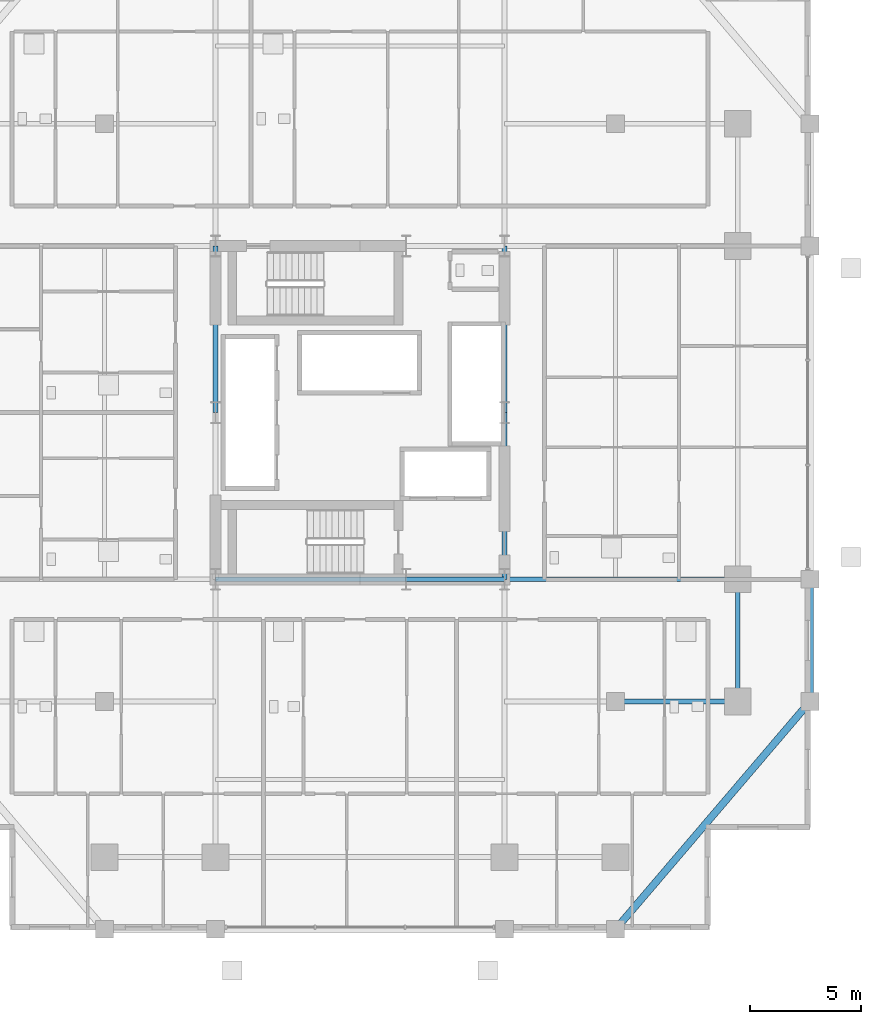
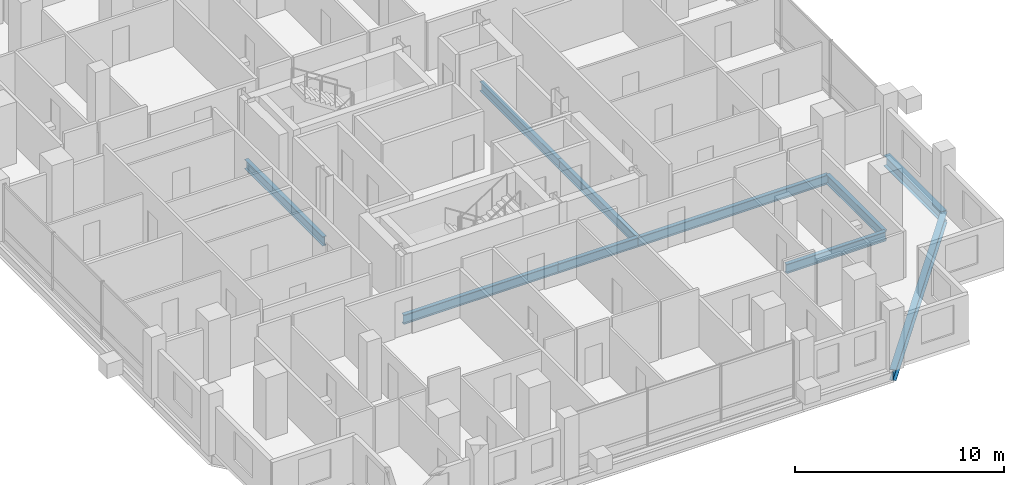
# One storey, part 6 of 20: 10 beams.
"""IFC4 building model written with IfcOpenShell, lengths in metres."""

from ifc_helpers import new_model, si_unit, direction, frame, origin, origin_2d, place, context, subcontext, project, spatial, i_section, extrude, material, material_profile, profile_set, type_object, element, save


model = new_model("IFC4")

# Units and contexts
model_context = context("Model", 3, precision=1e-05, world=origin(), true_north=direction((0.0, 1.0)))
body_context = subcontext(model_context, "Body", "Model", "MODEL_VIEW")
ifc_project = project(units=[si_unit("LENGTHUNIT", "METRE"), si_unit("AREAUNIT", "SQUARE_METRE"), si_unit("VOLUMEUNIT", "CUBIC_METRE"), si_unit("PLANEANGLEUNIT", "RADIAN"), si_unit("MASSUNIT", "GRAM", prefix="KILO")], contexts=[model_context])

# Site, building, storey
site_placement = place(None, origin())
site = spatial("IfcSite", under=ifc_project, at=site_placement, CompositionType="ELEMENT")
building_placement = place(site_placement, origin())
building = spatial("IfcBuilding", under=site, at=building_placement, Name="Barlavira Tower and Art Museum", CompositionType="ELEMENT")
storey_placement = place(building_placement, frame((0.0, 0.0, 102.60009765625)))
storey = spatial("IfcBuildingStorey", under=building, at=storey_placement, Name="L25", CompositionType="ELEMENT", Elevation=102.60009765625)

# Beams
ifc_material = material(Name="Steel S355", Category="steel")
ifc_material_profile_1 = material_profile(ifc_material, i_section(OverallWidth=0.327880859375, OverallDepth=0.62890625, WebThickness=0.013916015625, FlangeThickness=0.021484375, at=origin_2d()), Name="W610x174.0")
ifc_profile_set_1 = profile_set([ifc_material_profile_1], Name="Steel S355")
beam_type_1 = type_object("IfcBeamType", Name="Perimeter Spandrel Edge Beam W610x174 Steel S355", PredefinedType="SPANDREL", material=ifc_profile_set_1)
beam_1_placement = place(storey_placement, frame((11.5, -23.25, -0.53466796875), z_axis=(0.649262379928, 0.760564502202, 0.0), x_axis=(-0.760564502202, 0.649262379928, 0.0)))
element("IfcBeam", 1, at=beam_1_placement, inside=storey, type_object=beam_type_1, Name="L25 Spandrel 4", PredefinedType="SPANDREL", context=body_context, shape_type="SweptSolid", body=[
    extrude(i_section(OverallWidth=0.327880859375, OverallDepth=0.62890625, WebThickness=0.013916015625, FlangeThickness=0.021484375, at=origin_2d()), origin(), (0.0, 0.0, 1.0), 13.476806640625),
])
beam_2_placement = place(storey_placement, frame((20.25, -13.0, -0.53466796875), z_axis=(0.0, 1.0, 0.0), x_axis=(-1.0, 0.0, 0.0)))
element("IfcBeam", 2, at=beam_2_placement, inside=storey, type_object=beam_type_1, Name="L25 Spandrel 5", PredefinedType="SPANDREL", context=body_context, shape_type="SweptSolid", body=[
    extrude(i_section(OverallWidth=0.327880859375, OverallDepth=0.62890625, WebThickness=0.013916015625, FlangeThickness=0.021484375, at=origin_2d()), origin(), (0.0, 0.0, 1.0), 5.5),
])
ifc_material_profile_2 = material_profile(ifc_material, i_section(OverallWidth=0.214111328125, OverallDepth=0.549072265625, WebThickness=0.0146484375, FlangeThickness=0.023681640625, at=origin_2d()), Name="W530x138.0")
ifc_profile_set_2 = profile_set([ifc_material_profile_2], Name="Steel S355")
beam_type_2 = type_object("IfcBeamType", Name="Zone 1 Primary Floor Girder W530x138 Steel S355", PredefinedType="BEAM", material=ifc_profile_set_2)
beam_3_placement = place(storey_placement, frame((-6.5, -7.5, -0.49462890625), z_axis=(1.0, 0.0, 0.0), x_axis=(0.0, 1.0, 0.0)))
element("IfcBeam", 3, at=beam_3_placement, inside=storey, type_object=beam_type_2, Name="L25 Girder C-S1", PredefinedType="BEAM", context=body_context, shape_type="SweptSolid", body=[
    extrude(i_section(OverallWidth=0.214111328125, OverallDepth=0.549072265625, WebThickness=0.0146484375, FlangeThickness=0.023681640625, at=origin_2d()), origin(), (0.0, 0.0, 1.0), 8.580078125),
])
beam_4_placement = place(storey_placement, frame((2.080078125, -7.5, -0.49462890625), z_axis=(1.0, 0.0, 0.0), x_axis=(0.0, 1.0, 0.0)))
element("IfcBeam", 4, at=beam_4_placement, inside=storey, type_object=beam_type_2, Name="L25 Girder C-S2", PredefinedType="BEAM", context=body_context, shape_type="SweptSolid", body=[
    extrude(i_section(OverallWidth=0.214111328125, OverallDepth=0.549072265625, WebThickness=0.0146484375, FlangeThickness=0.023681640625, at=origin_2d()), origin(), (0.0, 0.0, 1.0), 4.419921875),
])
for number, where, z_axis, x_axis, name in (
    (5, (-6.5, 0.0, -0.49462890625), (0.0, 1.0, 0.0), (-1.0, 0.0, 0.0), "L25 Girder C-W2"),
    (6, (6.5, -7.5, -0.49462890625), (0.0, 1.0, 0.0), (-1.0, 0.0, 0.0), "L25 Girder C-E1"),
    (7, (6.5, 0.0, -0.49462890625), (0.0, 1.0, 0.0), (-1.0, 0.0, 0.0), "L25 Girder C-E2"),
):
    element("IfcBeam", number, at=place(storey_placement, frame(where, z_axis=z_axis, x_axis=x_axis)), inside=storey, type_object=beam_type_2, Name=name, PredefinedType="BEAM", context=body_context, shape_type="SweptSolid", body=[
        extrude(i_section(OverallWidth=0.214111328125, OverallDepth=0.549072265625, WebThickness=0.0146484375, FlangeThickness=0.023681640625, at=origin_2d()), origin(), (0.0, 0.0, 1.0), 7.5),
    ])
beam_5_placement = place(storey_placement, frame((17.0, -13.0, -0.49462890625), z_axis=(0.0, 1.0, 0.0), x_axis=(-1.0, 0.0, 0.0)))
element("IfcBeam", 8, at=beam_5_placement, inside=storey, type_object=beam_type_2, Name="L25 Girder M-E1", PredefinedType="BEAM", context=body_context, shape_type="SweptSolid", body=[
    extrude(i_section(OverallWidth=0.214111328125, OverallDepth=0.549072265625, WebThickness=0.0146484375, FlangeThickness=0.023681640625, at=origin_2d()), origin(), (0.0, 0.0, 1.0), 5.5),
])
beam_6_placement = place(storey_placement, frame((6.5, -7.5, -0.49462890625), z_axis=(1.0, 0.0, 0.0), x_axis=(0.0, 1.0, 0.0)))
element("IfcBeam", 9, at=beam_6_placement, inside=storey, type_object=beam_type_2, Name="L25 Girder R-E1", PredefinedType="BEAM", context=body_context, shape_type="SweptSolid", body=[
    extrude(i_section(OverallWidth=0.214111328125, OverallDepth=0.549072265625, WebThickness=0.0146484375, FlangeThickness=0.023681640625, at=origin_2d()), origin(), (0.0, 0.0, 1.0), 10.5),
])
beam_7_placement = place(storey_placement, frame((11.5, -13.0, -0.49462890625), z_axis=(1.0, 0.0, 0.0), x_axis=(0.0, 1.0, 0.0)))
element("IfcBeam", 10, at=beam_7_placement, inside=storey, type_object=beam_type_2, Name="L25 Girder I-S4", PredefinedType="BEAM", context=body_context, shape_type="SweptSolid", body=[
    extrude(i_section(OverallWidth=0.214111328125, OverallDepth=0.549072265625, WebThickness=0.0146484375, FlangeThickness=0.023681640625, at=origin_2d()), origin(), (0.0, 0.0, 1.0), 5.5),
])

save(model, "model.ifc")
